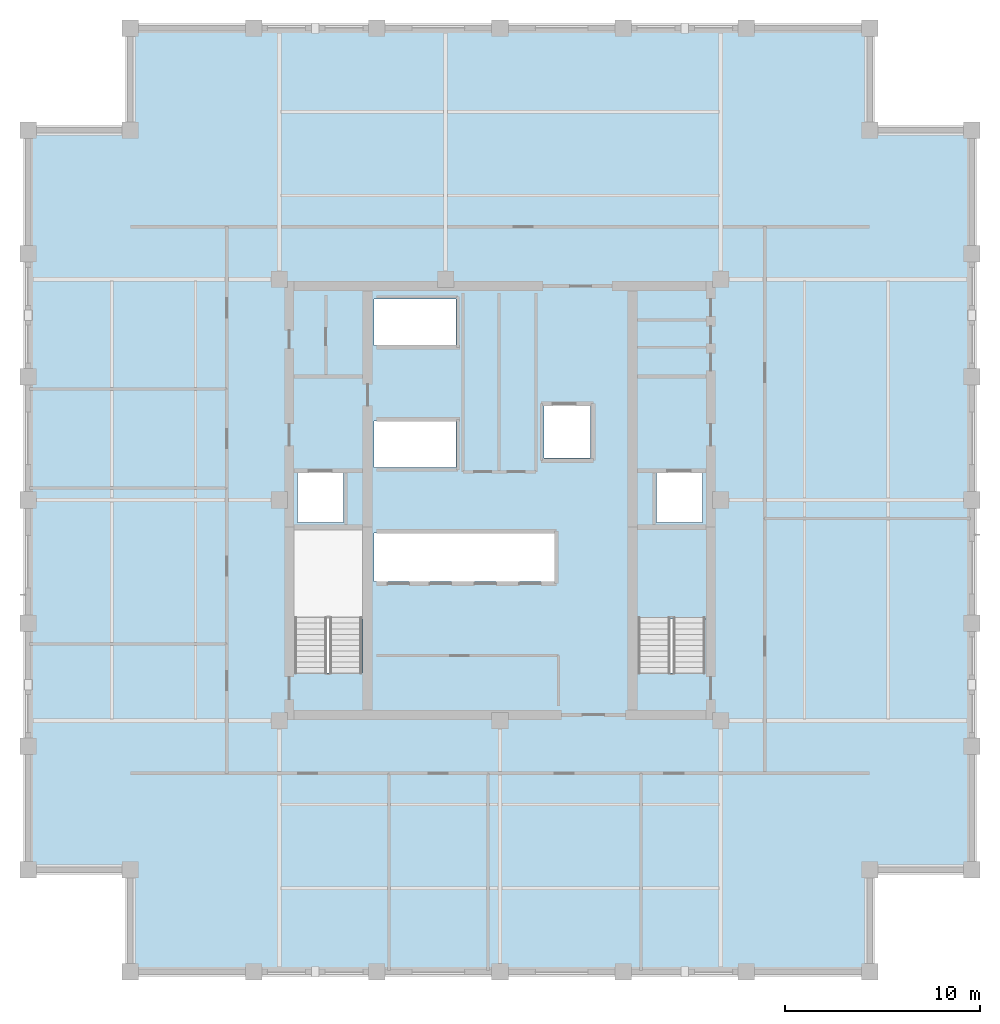
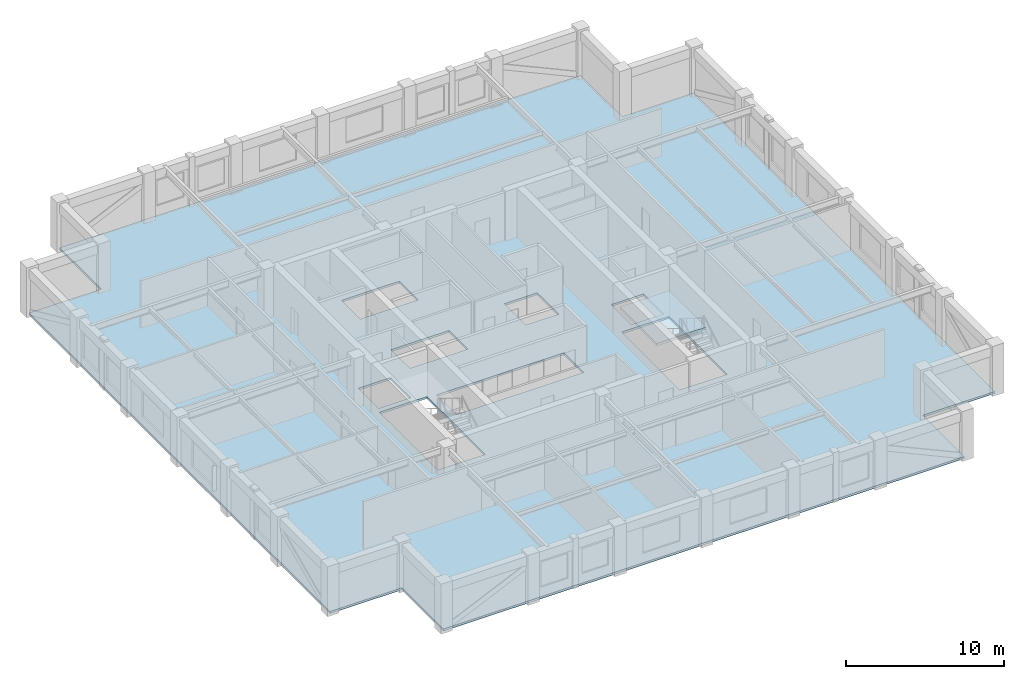
# One storey, part 3 of 9: 2 slabs, 1 element without a shape of its own.
"""IFC4 building model written with IfcOpenShell, lengths in metres."""

from ifc_helpers import new_model, si_unit, direction, frame, origin, place, context, subcontext, project, spatial, polyline, outline, extrude, material, layer, layer_set, type_object, element, aggregate, save


model = new_model("IFC4")

# Units and contexts
model_context = context("Model", 3, precision=1e-05, world=origin(), true_north=direction((0.0, 1.0)))
body_context = subcontext(model_context, "Body", "Model", "MODEL_VIEW")
ifc_project = project(units=[si_unit("LENGTHUNIT", "METRE"), si_unit("AREAUNIT", "SQUARE_METRE"), si_unit("VOLUMEUNIT", "CUBIC_METRE"), si_unit("PLANEANGLEUNIT", "RADIAN"), si_unit("MASSUNIT", "GRAM", prefix="KILO")], contexts=[model_context])

# Site, building, storey
site_placement = place(None, origin())
site = spatial("IfcSite", under=ifc_project, at=site_placement, CompositionType="ELEMENT")
building_placement = place(site_placement, origin())
building = spatial("IfcBuilding", under=site, at=building_placement, Name="Nhamokura Convention Tower", CompositionType="ELEMENT")
storey_placement = place(building_placement, frame((0.0, 0.0, 229.25)))
storey = spatial("IfcBuildingStorey", under=building, at=storey_placement, Name="L56", CompositionType="ELEMENT", Elevation=229.25)

# Slab
ifc_material_1 = material(Name="Concrete C40/50", Category="concrete")
ifc_layer_1 = layer(ifc_material_1, 0.1650390625)
ifc_layer_set_1 = layer_set([ifc_layer_1], Name="OfficeFloorSlab_165")
slab_type_1 = type_object("IfcSlabType", Name="OfficeFloorSlab_165", PredefinedType="FLOOR", material=ifc_layer_set_1)
slab_1_placement = place(storey_placement, frame((0.0, 0.0, -0.1650390625)))
element("IfcSlab", 1, at=slab_1_placement, inside=storey, type_object=slab_type_1, Name="L56 Structural Floor Slab", PredefinedType="FLOOR", context=body_context, shape_type="SweptSolid", body=[
    extrude(outline(polyline([(13.0, 7.75), (51.0, 7.75), (51.0, 13.0), (56.25, 13.0), (56.25, 51.0), (51.0, 51.0), (51.0, 56.25), (13.0, 56.25), (13.0, 51.0), (7.75, 51.0), (7.75, 13.0), (13.0, 13.0), (13.0, 7.75)]), holes=[polyline([(24.89990234375, 23.10009765625), (24.89990234375, 30.449951171875), (21.449951171875, 30.449951171875), (21.449951171875, 23.10009765625), (24.89990234375, 23.10009765625)]), polyline([(42.550048828125, 23.10009765625), (42.550048828125, 30.449951171875), (39.10009765625, 30.449951171875), (39.10009765625, 23.10009765625), (42.550048828125, 23.10009765625)]), polyline([(21.60009765625, 30.85009765625), (23.949951171875, 30.85009765625), (23.949951171875, 33.39990234375), (21.60009765625, 33.39990234375), (21.60009765625, 30.85009765625)]), polyline([(40.050048828125, 30.85009765625), (42.39990234375, 30.85009765625), (42.39990234375, 33.39990234375), (40.050048828125, 33.39990234375), (40.050048828125, 30.85009765625)]), polyline([(34.25, 34.14990234375), (36.64990234375, 34.14990234375), (36.64990234375, 36.85009765625), (34.25, 36.85009765625), (34.25, 34.14990234375)]), polyline([(25.52001953125, 27.800048828125), (34.800048828125, 27.800048828125), (34.800048828125, 30.300048828125), (25.52001953125, 30.300048828125), (25.52001953125, 27.800048828125)]), polyline([(25.52001953125, 33.679931640625), (29.75, 33.679931640625), (29.75, 36.050048828125), (25.52001953125, 36.050048828125), (25.52001953125, 33.679931640625)]), polyline([(25.52001953125, 39.949951171875), (29.75, 39.949951171875), (29.75, 42.320068359375), (25.52001953125, 42.320068359375), (25.52001953125, 39.949951171875)])]), origin(), (0.0, 0.0, 1.0), 0.1650390625),
])

# Stair, slab
ifc_material_2 = material(Name="Concrete C40/50", Category="concrete")
stair_type = type_object("IfcStairType", Name="TowerCoreStair_1650", PredefinedType="HALF_TURN_STAIR", material=ifc_material_2)
stair_placement = place(storey_placement, origin())
stair = element("IfcStair", 2, at=stair_placement, inside=storey, type_object=stair_type, Name="L56 East Core Smokeproof Stair ST-02", PredefinedType="HALF_TURN_STAIR")
ifc_material_3 = material(Name="Concrete C40/50", Category="concrete")
ifc_layer_2 = layer(ifc_material_3, 0.199951171875)
ifc_layer_set_2 = layer_set([ifc_layer_2], Name="StairLandingSlab_200")
slab_type_2 = type_object("IfcSlabType", Name="StairLandingSlab_200", PredefinedType="LANDING", material=ifc_layer_set_2)
slab_2_placement = place(storey_placement, frame((0.0, 0.0, 1.72509765625)))
slab_2 = element("IfcSlab", 3, at=slab_2_placement, type_object=slab_type_2, Name="ST-02 landing 1", PredefinedType="LANDING", context=body_context, shape_type="SweptSolid", body=[
    extrude(outline(polyline([(42.6298828125, 25.8701171875), (42.6298828125, 30.530029296875), (39.02001953125, 30.530029296875), (39.02001953125, 25.8701171875), (42.6298828125, 25.8701171875)])), origin(), (0.0, 0.0, 1.0), 0.199951171875),
])
aggregate(stair, [slab_2])

save(model, "model.ifc")
